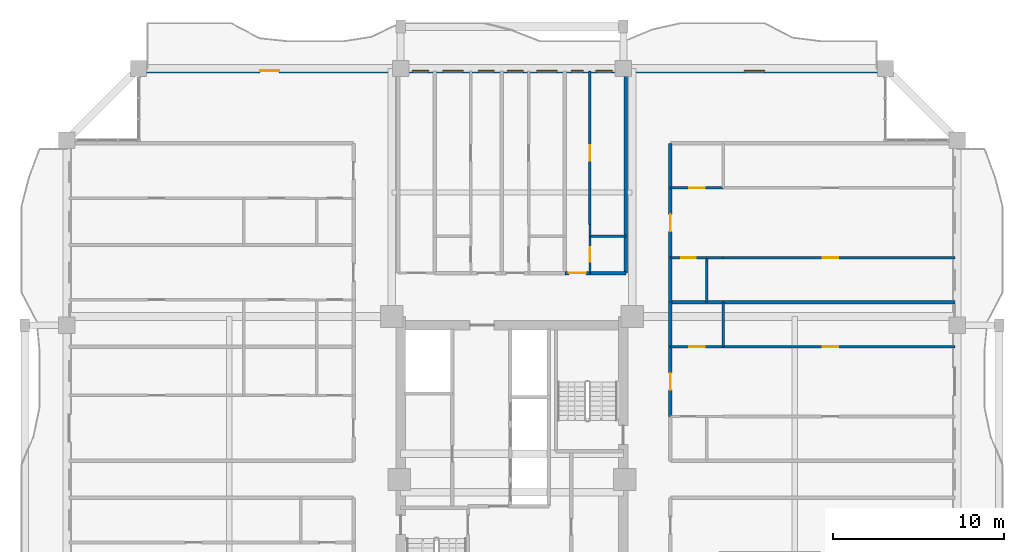
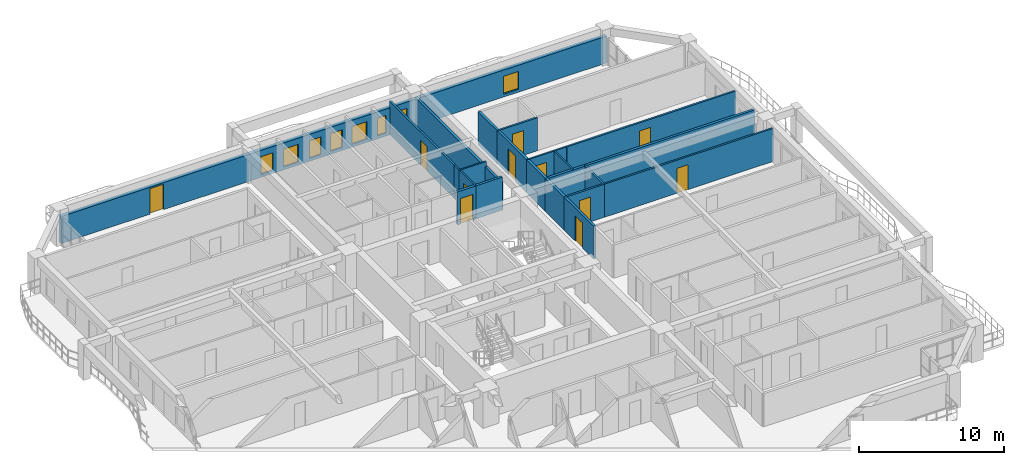
# One storey, part 20 of 26: 22 walls, 11 doors, 8 windows, 19 openings.
"""IFC4 building model written with IfcOpenShell, lengths in metres."""

from ifc_helpers import new_model, si_unit, direction, frame, frame_2d, origin, place, context, subcontext, project, spatial, rectangle, extrude, source, transform, mapped, material, layer, layer_set, type_object, element, fill, save


model = new_model("IFC4")

# Units and contexts
model_context = context("Model", 3, precision=1e-05, world=origin(), true_north=direction((0.0, 1.0)))
body_context = subcontext(model_context, "Body", "Model", "MODEL_VIEW")
ifc_project = project(units=[si_unit("LENGTHUNIT", "METRE"), si_unit("AREAUNIT", "SQUARE_METRE"), si_unit("VOLUMEUNIT", "CUBIC_METRE"), si_unit("PLANEANGLEUNIT", "RADIAN"), si_unit("MASSUNIT", "GRAM", prefix="KILO")], contexts=[model_context])

# Site, building, storey
site_placement = place(None, origin())
site = spatial("IfcSite", under=ifc_project, at=site_placement, CompositionType="ELEMENT")
building_placement = place(site_placement, origin())
building = spatial("IfcBuilding", under=site, at=building_placement, Name="Saelheon Loggia Tower", CompositionType="ELEMENT")
storey_placement = place(building_placement, frame((0.0, 0.0, 116.85009765625)))
storey = spatial("IfcBuildingStorey", under=building, at=storey_placement, Name="L37", CompositionType="ELEMENT", Elevation=116.85009765625)

# Wall, openings, windows, door
ifc_material_1 = material(Name="Architectural Precast Concrete C40/50", Category="concrete")
ifc_layer_1 = layer(ifc_material_1, 0.280029296875)
ifc_layer_set_1 = layer_set([ifc_layer_1], Name="Architectural Precast Concrete C40/50")
wall_type_1 = type_object("IfcWallType", Name="Wall_Ext_Loggia_280", PredefinedType="SOLIDWALL", material=ifc_layer_set_1)
wall_1_placement = place(storey_placement, frame((16.199951171875, 50.860107421875, 0.0), z_axis=(0.0, 0.0, 1.0), x_axis=(1.0, 0.0, 0.0)))
wall_1 = element("IfcWall", 1, at=wall_1_placement, inside=storey, type_object=wall_type_1, Name="L37 North Loggia Inner Wall", PredefinedType="SOLIDWALL", context=body_context, shape_type="SweptSolid", body=[
    extrude(rectangle(XDim=43.60009765625, YDim=0.280029296875, at=frame_2d((21.800048828125, 0.0))), origin(), (0.0, 0.0, 1.0), 2.27978515625),
])
opening_1_placement = place(wall_1_placement, frame((7.10009765625, 0.0, 0.0)))
opening_1 = element("IfcOpeningElement", 2, at=opening_1_placement, cuts=wall_1, Name="Opening TD1", PredefinedType="OPENING", context=body_context, shape_type="SweptSolid", body=[
    extrude(rectangle(XDim=1.10009765625, YDim=2.14990234375, at=frame_2d((0.550048828125, 1.074951171875))), frame((0.0, 0.152099609375, 0.0), z_axis=(0.0, -1.0, 0.0), x_axis=(1.0, 0.0, 0.0)), (0.0, 0.0, 1.0), 0.303955078125),
])
opening_2_placement = place(wall_1_placement, frame((15.982421875, 0.0, 0.25)))
opening_2 = element("IfcOpeningElement", 3, at=opening_2_placement, cuts=wall_1, Name="Opening WN-04", PredefinedType="OPENING", context=body_context, shape_type="SweptSolid", body=[
    extrude(rectangle(XDim=0.949951171875, YDim=1.5, at=frame_2d((0.47509765625, 0.75))), frame((0.0, 0.152099609375, 0.0), z_axis=(0.0, -1.0, 0.0), x_axis=(1.0, 0.0, 0.0)), (0.0, 0.0, 1.0), 0.303955078125),
])
opening_3_placement = place(wall_1_placement, frame((17.75, 0.0, 0.25)))
opening_3 = element("IfcOpeningElement", 4, at=opening_3_placement, cuts=wall_1, Name="Opening WN-03", PredefinedType="OPENING", context=body_context, shape_type="SweptSolid", body=[
    extrude(rectangle(XDim=1.199951171875, YDim=1.5, at=frame_2d((0.60009765625, 0.75))), frame((0.0, 0.152099609375, 0.0), z_axis=(0.0, -1.0, 0.0), x_axis=(1.0, 0.0, 0.0)), (0.0, 0.0, 1.0), 0.303955078125),
])
opening_4_placement = place(wall_1_placement, frame((19.826416015625, 0.0, 0.25)))
opening_4 = element("IfcOpeningElement", 5, at=opening_4_placement, cuts=wall_1, Name="Opening WN-04", PredefinedType="OPENING", context=body_context, shape_type="SweptSolid", body=[
    extrude(rectangle(XDim=0.949951171875, YDim=1.5, at=frame_2d((0.47509765625, 0.75))), frame((0.0, 0.152099609375, 0.0), z_axis=(0.0, -1.0, 0.0), x_axis=(1.0, 0.0, 0.0)), (0.0, 0.0, 1.0), 0.303955078125),
])
opening_5_placement = place(wall_1_placement, frame((21.517333984375, 0.0, 0.25)))
opening_5 = element("IfcOpeningElement", 6, at=opening_5_placement, cuts=wall_1, Name="Opening WN-04", PredefinedType="OPENING", context=body_context, shape_type="SweptSolid", body=[
    extrude(rectangle(XDim=0.949951171875, YDim=1.5, at=frame_2d((0.47509765625, 0.75))), frame((0.0, 0.152099609375, 0.0), z_axis=(0.0, -1.0, 0.0), x_axis=(1.0, 0.0, 0.0)), (0.0, 0.0, 1.0), 0.303955078125),
])
opening_6_placement = place(wall_1_placement, frame((23.23193359375, 0.0, 0.25)))
opening_6 = element("IfcOpeningElement", 7, at=opening_6_placement, cuts=wall_1, Name="Opening WN-03", PredefinedType="OPENING", context=body_context, shape_type="SweptSolid", body=[
    extrude(rectangle(XDim=1.199951171875, YDim=1.5, at=frame_2d((0.60009765625, 0.75))), frame((0.0, 0.152099609375, 0.0), z_axis=(0.0, -1.0, 0.0), x_axis=(1.0, 0.0, 0.0)), (0.0, 0.0, 1.0), 0.303955078125),
])
opening_7_placement = place(wall_1_placement, frame((25.26611328125, 0.0, 0.25)))
opening_7 = element("IfcOpeningElement", 8, at=opening_7_placement, cuts=wall_1, Name="Opening WN-06", PredefinedType="OPENING", context=body_context, shape_type="SweptSolid", body=[
    extrude(rectangle(XDim=0.699951171875, YDim=1.5, at=frame_2d((0.35009765625, 0.75))), frame((0.0, 0.152099609375, 0.0), z_axis=(0.0, -1.0, 0.0), x_axis=(1.0, 0.0, 0.0)), (0.0, 0.0, 1.0), 0.303955078125),
])
opening_8_placement = place(wall_1_placement, frame((26.6923828125, 0.0, 0.25)))
opening_8 = element("IfcOpeningElement", 9, at=opening_8_placement, cuts=wall_1, Name="Opening WN-04", PredefinedType="OPENING", context=body_context, shape_type="SweptSolid", body=[
    extrude(rectangle(XDim=0.949951171875, YDim=1.5, at=frame_2d((0.47509765625, 0.75))), frame((0.0, 0.152099609375, 0.0), z_axis=(0.0, -1.0, 0.0), x_axis=(1.0, 0.0, 0.0)), (0.0, 0.0, 1.0), 0.303955078125),
])
opening_9_placement = place(wall_1_placement, frame((35.35009765625, 0.0, 0.25)))
opening_9 = element("IfcOpeningElement", 10, at=opening_9_placement, cuts=wall_1, Name="Opening WN-03", PredefinedType="OPENING", context=body_context, shape_type="SweptSolid", body=[
    extrude(rectangle(XDim=1.199951171875, YDim=1.5, at=frame_2d((0.60009765625, 0.75))), frame((0.0, 0.152099609375, 0.0), z_axis=(0.0, -1.0, 0.0), x_axis=(1.0, 0.0, 0.0)), (0.0, 0.0, 1.0), 0.303955078125),
])
ifc_material_2 = material(Name="Thermal-Break Aluminium and Triple Low-E Glass", Category="aluminium")
window_type_1 = type_object("IfcWindowType", Name="Win_Slot_700x1500", PartitioningType="SINGLE_PANEL", PredefinedType="WINDOW", material=ifc_material_2)
shared_shape_1 = source(origin(), body_context, "Body", "SweptSolid", [
    extrude(rectangle(XDim=0.699951171875, YDim=1.5, at=frame_2d((0.35009765625, 0.75))), frame((0.0, 0.030029296875, 0.0), z_axis=(0.0, -1.0, 0.0), x_axis=(1.0, 0.0, 0.0)), (0.0, 0.0, 1.0), 0.06005859375),
])
window_1_placement = place(opening_7_placement, origin())
window_1 = element("IfcWindow", 11, at=window_1_placement, inside=storey, type_object=window_type_1, Name="L37 N Dwelling Window 7", OverallHeight=1.5, OverallWidth=0.699951171875, PartitioningType="SINGLE_PANEL", PredefinedType="WINDOW", context=body_context, shape_type="MappedRepresentation", body=[
    mapped(shared_shape_1, transform((0.0, 0.0, 0.0), scale=1.0)),
])
fill(opening_7, window_1)
window_type_2 = type_object("IfcWindowType", Name="Win_Bedroom_1200x1500", PartitioningType="SINGLE_PANEL", PredefinedType="WINDOW", material=ifc_material_2)
shared_shape_2 = source(origin(), body_context, "Body", "SweptSolid", [
    extrude(rectangle(XDim=1.199951171875, YDim=1.5, at=frame_2d((0.60009765625, 0.75))), frame((0.0, 0.030029296875, 0.0), z_axis=(0.0, -1.0, 0.0), x_axis=(1.0, 0.0, 0.0)), (0.0, 0.0, 1.0), 0.06005859375),
])
window_2_placement = place(opening_3_placement, origin())
window_2 = element("IfcWindow", 12, at=window_2_placement, inside=storey, type_object=window_type_2, Name="L37 N Dwelling Window 3", OverallHeight=1.5, OverallWidth=1.199951171875, PartitioningType="SINGLE_PANEL", PredefinedType="WINDOW", context=body_context, shape_type="MappedRepresentation", body=[
    mapped(shared_shape_2, transform((0.0, 0.0, 0.0), scale=1.0)),
])
fill(opening_3, window_2)
window_3_placement = place(opening_6_placement, origin())
window_3 = element("IfcWindow", 13, at=window_3_placement, inside=storey, type_object=window_type_2, Name="L37 N Dwelling Window 6", OverallHeight=1.5, OverallWidth=1.199951171875, PartitioningType="SINGLE_PANEL", PredefinedType="WINDOW", context=body_context, shape_type="MappedRepresentation", body=[
    mapped(shared_shape_2, transform((0.0, 0.0, 0.0), scale=1.0)),
])
fill(opening_6, window_3)
window_4_placement = place(opening_9_placement, origin())
window_4 = element("IfcWindow", 14, at=window_4_placement, inside=storey, type_object=window_type_2, Name="L37 N Dwelling Window 9", OverallHeight=1.5, OverallWidth=1.199951171875, PartitioningType="SINGLE_PANEL", PredefinedType="WINDOW", context=body_context, shape_type="MappedRepresentation", body=[
    mapped(shared_shape_2, transform((0.0, 0.0, 0.0), scale=1.0)),
])
fill(opening_9, window_4)
ifc_material_3 = material(Name="Thermal-Break Aluminium Glazed Door", Category="aluminium")
door_type_1 = type_object("IfcDoorType", Name="Door_Terrace_TD1", OperationType="NOTDEFINED", PredefinedType="DOOR", material=ifc_material_3)
shared_shape_3 = source(origin(), body_context, "Body", "SweptSolid", [
    extrude(rectangle(XDim=1.10009765625, YDim=2.14990234375, at=frame_2d((0.550048828125, 1.074951171875))), frame((0.0, 0.02490234375, 0.0), z_axis=(0.0, -1.0, 0.0), x_axis=(1.0, 0.0, 0.0)), (0.0, 0.0, 1.0), 0.050048828125),
])
door_1_placement = place(opening_1_placement, origin())
door_1 = element("IfcDoor", 15, at=door_1_placement, inside=storey, type_object=door_type_1, Name="L37 N Loggia Access Door", OperationType="SINGLE_SWING_LEFT", OverallHeight=2.14990234375, OverallWidth=1.10009765625, PredefinedType="DOOR", context=body_context, shape_type="MappedRepresentation", body=[
    mapped(shared_shape_3, transform((0.0, 0.0, 0.0), scale=1.0)),
])
fill(opening_1, door_1)
window_type_3 = type_object("IfcWindowType", Name="Win_Narrow_950x1500", PartitioningType="SINGLE_PANEL", PredefinedType="WINDOW", material=ifc_material_2)
shared_shape_4 = source(origin(), body_context, "Body", "SweptSolid", [
    extrude(rectangle(XDim=0.949951171875, YDim=1.5, at=frame_2d((0.47509765625, 0.75))), frame((0.0, 0.030029296875, 0.0), z_axis=(0.0, -1.0, 0.0), x_axis=(1.0, 0.0, 0.0)), (0.0, 0.0, 1.0), 0.06005859375),
])
window_5_placement = place(opening_2_placement, origin())
window_5 = element("IfcWindow", 16, at=window_5_placement, inside=storey, type_object=window_type_3, Name="L37 N Dwelling Window 2", OverallHeight=1.5, OverallWidth=0.949951171875, PartitioningType="SINGLE_PANEL", PredefinedType="WINDOW", context=body_context, shape_type="MappedRepresentation", body=[
    mapped(shared_shape_4, transform((0.0, 0.0, 0.0), scale=1.0)),
])
fill(opening_2, window_5)
window_6_placement = place(opening_4_placement, origin())
window_6 = element("IfcWindow", 17, at=window_6_placement, inside=storey, type_object=window_type_3, Name="L37 N Dwelling Window 4", OverallHeight=1.5, OverallWidth=0.949951171875, PartitioningType="SINGLE_PANEL", PredefinedType="WINDOW", context=body_context, shape_type="MappedRepresentation", body=[
    mapped(shared_shape_4, transform((0.0, 0.0, 0.0), scale=1.0)),
])
fill(opening_4, window_6)
window_7_placement = place(opening_5_placement, origin())
window_7 = element("IfcWindow", 18, at=window_7_placement, inside=storey, type_object=window_type_3, Name="L37 N Dwelling Window 5", OverallHeight=1.5, OverallWidth=0.949951171875, PartitioningType="SINGLE_PANEL", PredefinedType="WINDOW", context=body_context, shape_type="MappedRepresentation", body=[
    mapped(shared_shape_4, transform((0.0, 0.0, 0.0), scale=1.0)),
])
fill(opening_5, window_7)
window_8_placement = place(opening_8_placement, origin())
window_8 = element("IfcWindow", 19, at=window_8_placement, inside=storey, type_object=window_type_3, Name="L37 N Dwelling Window 8", OverallHeight=1.5, OverallWidth=0.949951171875, PartitioningType="SINGLE_PANEL", PredefinedType="WINDOW", context=body_context, shape_type="MappedRepresentation", body=[
    mapped(shared_shape_4, transform((0.0, 0.0, 0.0), scale=1.0)),
])
fill(opening_8, window_8)

# Wall, opening, door
ifc_material_4 = material(Name="Lightweight Autoclaved Aerated Concrete Block and Acoustic Gypsum", Category="concrete")
ifc_layer_2 = layer(ifc_material_4, 0.14990234375)
ifc_layer_set_2 = layer_set([ifc_layer_2], Name="Lightweight Autoclaved Aerated Concrete Block and Acoustic Gypsum")
wall_type_2 = type_object("IfcWallType", Name="Wall_Part_150", PredefinedType="PARTITIONING", material=ifc_layer_set_2)
wall_2_placement = place(storey_placement, frame((42.550048828125, 41.889892578125, 0.0), z_axis=(0.0, 0.0, 1.0), x_axis=(0.0, 1.0, 0.0)))
wall_2 = element("IfcWall", 20, at=wall_2_placement, inside=storey, type_object=wall_type_2, Name="L37 N Partition U24", PredefinedType="PARTITIONING", context=body_context, shape_type="SweptSolid", body=[
    extrude(rectangle(XDim=8.960205078125, YDim=0.14990234375, at=frame_2d((4.47998046875, 0.0))), origin(), (0.0, 0.0, 1.0), 2.789794921875),
])
opening_10_placement = place(wall_2_placement, frame((3.714111328125, 0.0, 0.0)))
opening_10 = element("IfcOpeningElement", 21, at=opening_10_placement, cuts=wall_2, Name="Opening D-IN2", PredefinedType="OPENING", context=body_context, shape_type="SweptSolid", body=[
    extrude(rectangle(XDim=0.89990234375, YDim=2.10009765625, at=frame_2d((0.449951171875, 1.050048828125))), frame((0.0, 0.0869140625, 0.0), z_axis=(0.0, -1.0, 0.0), x_axis=(1.0, 0.0, 0.0)), (0.0, 0.0, 1.0), 0.173828125),
])
ifc_material_5 = material(Name="Engineered Oak Flush Door", Category="timber")
door_type_2 = type_object("IfcDoorType", Name="Door_Int_900", OperationType="NOTDEFINED", PredefinedType="DOOR", material=ifc_material_5)
shared_shape_5 = source(origin(), body_context, "Body", "SweptSolid", [
    extrude(rectangle(XDim=0.89990234375, YDim=2.10009765625, at=frame_2d((0.449951171875, 1.050048828125))), frame((0.0, 0.02490234375, 0.0), z_axis=(0.0, -1.0, 0.0), x_axis=(1.0, 0.0, 0.0)), (0.0, 0.0, 1.0), 0.050048828125),
])
door_2_placement = place(opening_10_placement, origin())
door_2 = element("IfcDoor", 22, at=door_2_placement, inside=storey, type_object=door_type_2, Name="Unit U04 Kitchen Door", OperationType="SINGLE_SWING_RIGHT", OverallHeight=2.10009765625, OverallWidth=0.89990234375, PredefinedType="DOOR", context=body_context, shape_type="MappedRepresentation", body=[
    mapped(shared_shape_5, transform((0.0, 0.0, 0.0), scale=1.0)),
])
fill(opening_10, door_2)

# Wall
wall_3_placement = place(storey_placement, frame((50.330078125, 34.75, 0.0), z_axis=(0.0, 0.0, 1.0), x_axis=(0.0, 1.0, 0.0)))
element("IfcWall", 23, at=wall_3_placement, inside=storey, type_object=wall_type_2, Name="L37 EN Partition V07", PredefinedType="PARTITIONING", context=body_context, shape_type="SweptSolid", body=[
    extrude(rectangle(XDim=2.60009765625, YDim=0.14990234375, at=frame_2d((1.300048828125, 0.0))), origin(), (0.0, 0.0, 1.0), 2.789794921875),
])

# Wall, opening, door
wall_4_placement = place(storey_placement, frame((47.25, 34.75, 0.0), z_axis=(0.0, 0.0, 1.0), x_axis=(1.0, 0.0, 0.0)))
wall_4 = element("IfcWall", 24, at=wall_4_placement, inside=storey, type_object=wall_type_2, Name="L37 EN Partition U11", PredefinedType="PARTITIONING", context=body_context, shape_type="SweptSolid", body=[
    extrude(rectangle(XDim=3.080078125, YDim=0.14990234375, at=frame_2d((1.5400390625, 0.0))), origin(), (0.0, 0.0, 1.0), 2.789794921875),
])
opening_11_placement = place(wall_4_placement, frame((1.090087890625, 0.0, 0.0)))
opening_11 = element("IfcOpeningElement", 25, at=opening_11_placement, cuts=wall_4, Name="Opening D-IN2", PredefinedType="OPENING", context=body_context, shape_type="SweptSolid", body=[
    extrude(rectangle(XDim=0.89990234375, YDim=2.10009765625, at=frame_2d((0.449951171875, 1.050048828125))), frame((0.0, 0.0869140625, 0.0), z_axis=(0.0, -1.0, 0.0), x_axis=(1.0, 0.0, 0.0)), (0.0, 0.0, 1.0), 0.173828125),
])
door_3_placement = place(opening_11_placement, origin())
door_3 = element("IfcDoor", 26, at=door_3_placement, inside=storey, type_object=door_type_2, Name="Unit U13 Dressing Closet Door", OperationType="SINGLE_SWING_LEFT", OverallHeight=2.10009765625, OverallWidth=0.89990234375, PredefinedType="DOOR", context=body_context, shape_type="MappedRepresentation", body=[
    mapped(shared_shape_5, transform((0.0, 0.0, 0.0), scale=1.0)),
])
fill(opening_11, door_3)

wall_5_placement = place(storey_placement, frame((50.330078125, 34.75, 0.0), z_axis=(0.0, 0.0, 1.0), x_axis=(1.0, 0.0, 0.0)))
wall_5 = element("IfcWall", 27, at=wall_5_placement, inside=storey, type_object=wall_type_2, Name="L37 EN Partition U12", PredefinedType="PARTITIONING", context=body_context, shape_type="SweptSolid", body=[
    extrude(rectangle(XDim=13.52001953125, YDim=0.14990234375, at=frame_2d((6.760009765625, 0.0))), origin(), (0.0, 0.0, 1.0), 2.789794921875),
])
opening_12_placement = place(wall_5_placement, frame((5.80419921875, 0.0, 0.0)))
opening_12 = element("IfcOpeningElement", 28, at=opening_12_placement, cuts=wall_5, Name="Opening D-IN2", PredefinedType="OPENING", context=body_context, shape_type="SweptSolid", body=[
    extrude(rectangle(XDim=0.89990234375, YDim=2.10009765625, at=frame_2d((0.449951171875, 1.050048828125))), frame((0.0, 0.0869140625, 0.0), z_axis=(0.0, -1.0, 0.0), x_axis=(1.0, 0.0, 0.0)), (0.0, 0.0, 1.0), 0.173828125),
])
door_4_placement = place(opening_12_placement, origin())
door_4 = element("IfcDoor", 29, at=door_4_placement, inside=storey, type_object=door_type_2, Name="Unit U13 Bedroom 1 Door", OperationType="SINGLE_SWING_RIGHT", OverallHeight=2.10009765625, OverallWidth=0.89990234375, PredefinedType="DOOR", context=body_context, shape_type="MappedRepresentation", body=[
    mapped(shared_shape_5, transform((0.0, 0.0, 0.0), scale=1.0)),
])
fill(opening_12, door_4)

wall_6_placement = place(storey_placement, frame((50.330078125, 39.945556640625, 0.0), z_axis=(0.0, 0.0, 1.0), x_axis=(1.0, 0.0, 0.0)))
wall_6 = element("IfcWall", 30, at=wall_6_placement, inside=storey, type_object=wall_type_2, Name="L37 EN Partition U21", PredefinedType="PARTITIONING", context=body_context, shape_type="SweptSolid", body=[
    extrude(rectangle(XDim=13.52001953125, YDim=0.14990234375, at=frame_2d((6.760009765625, 0.0))), origin(), (0.0, 0.0, 1.0), 2.789794921875),
])
opening_13_placement = place(wall_6_placement, frame((5.80419921875, 0.0, 0.0)))
opening_13 = element("IfcOpeningElement", 31, at=opening_13_placement, cuts=wall_6, Name="Opening D-IN2", PredefinedType="OPENING", context=body_context, shape_type="SweptSolid", body=[
    extrude(rectangle(XDim=0.89990234375, YDim=2.10009765625, at=frame_2d((0.449951171875, 1.050048828125))), frame((0.0, 0.0869140625, 0.0), z_axis=(0.0, -1.0, 0.0), x_axis=(1.0, 0.0, 0.0)), (0.0, 0.0, 1.0), 0.173828125),
])
door_5_placement = place(opening_13_placement, origin())
door_5 = element("IfcDoor", 32, at=door_5_placement, inside=storey, type_object=door_type_2, Name="Unit U14 Kitchen Door", OperationType="SINGLE_SWING_LEFT", OverallHeight=2.10009765625, OverallWidth=0.89990234375, PredefinedType="DOOR", context=body_context, shape_type="MappedRepresentation", body=[
    mapped(shared_shape_5, transform((0.0, 0.0, 0.0), scale=1.0)),
])
fill(opening_13, door_5)

wall_7_placement = place(storey_placement, frame((47.25, 44.02001953125, 0.0), z_axis=(0.0, 0.0, 1.0), x_axis=(1.0, 0.0, 0.0)))
wall_7 = element("IfcWall", 33, at=wall_7_placement, inside=storey, type_object=wall_type_2, Name="L37 EN Partition U22", PredefinedType="PARTITIONING", context=body_context, shape_type="SweptSolid", body=[
    extrude(rectangle(XDim=3.080078125, YDim=0.14990234375, at=frame_2d((1.5400390625, 0.0))), origin(), (0.0, 0.0, 1.0), 2.789794921875),
])
opening_14_placement = place(wall_7_placement, frame((1.090087890625, 0.0, 0.0)))
opening_14 = element("IfcOpeningElement", 34, at=opening_14_placement, cuts=wall_7, Name="Opening D-IN2", PredefinedType="OPENING", context=body_context, shape_type="SweptSolid", body=[
    extrude(rectangle(XDim=0.89990234375, YDim=2.10009765625, at=frame_2d((0.449951171875, 1.050048828125))), frame((0.0, 0.0869140625, 0.0), z_axis=(0.0, -1.0, 0.0), x_axis=(1.0, 0.0, 0.0)), (0.0, 0.0, 1.0), 0.173828125),
])
door_6_placement = place(opening_14_placement, origin())
door_6 = element("IfcDoor", 35, at=door_6_placement, inside=storey, type_object=door_type_2, Name="Unit U14 Dressing Closet Door", OperationType="SINGLE_SWING_RIGHT", OverallHeight=2.10009765625, OverallWidth=0.89990234375, PredefinedType="DOOR", context=body_context, shape_type="MappedRepresentation", body=[
    mapped(shared_shape_5, transform((0.0, 0.0, 0.0), scale=1.0)),
])
fill(opening_14, door_6)

# Wall
ifc_material_6 = material(Name="Double Acoustic Stud and Fireboard Partition", Category="gypsum")
ifc_layer_3 = layer(ifc_material_6, 0.199951171875)
ifc_layer_set_3 = layer_set([ifc_layer_3], Name="Double Acoustic Stud and Fireboard Partition")
wall_type_3 = type_object("IfcWallType", Name="Wall_Party_200", PredefinedType="PARTITIONING", material=ifc_layer_set_3)
wall_8_placement = place(storey_placement, frame((44.64990234375, 39.050048828125, 0.0), z_axis=(0.0, 0.0, 1.0), x_axis=(0.0, 1.0, 0.0)))
element("IfcWall", 36, at=wall_8_placement, inside=storey, type_object=wall_type_3, Name="L37 N Partition U02", PredefinedType="PARTITIONING", context=body_context, shape_type="SweptSolid", body=[
    extrude(rectangle(XDim=11.800048828125, YDim=0.199951171875, at=frame_2d((5.89990234375, 0.0))), origin(), (0.0, 0.0, 1.0), 2.33984375),
])

# Wall, opening, door
wall_9_placement = place(storey_placement, frame((41.08203125, 39.050048828125, 0.0), z_axis=(0.0, 0.0, 1.0), x_axis=(1.0, 0.0, 0.0)))
wall_9 = element("IfcWall", 37, at=wall_9_placement, inside=storey, type_object=wall_type_3, Name="L37 N Partition V19", PredefinedType="PARTITIONING", context=body_context, shape_type="SweptSolid", body=[
    extrude(rectangle(XDim=1.468017578125, YDim=0.199951171875, at=frame_2d((0.73388671875, 0.0))), origin(), (0.0, 0.0, 1.0), 2.789794921875),
])
opening_15_placement = place(wall_9_placement, frame((0.23388671875, 0.0, 0.0)))
opening_15 = element("IfcOpeningElement", 38, at=opening_15_placement, cuts=wall_9, Name="Opening D-FD1", PredefinedType="OPENING", context=body_context, shape_type="SweptSolid", body=[
    extrude(rectangle(XDim=1.0, YDim=2.14990234375, at=frame_2d((0.5, 1.074951171875))), frame((0.0, 0.112060546875, 0.0), z_axis=(0.0, -1.0, 0.0), x_axis=(1.0, 0.0, 0.0)), (0.0, 0.0, 1.0), 0.223876953125),
])
ifc_material_7 = material(Name="Fire-Rated Engineered Timber Entrance Door", Category="wood")
door_type_3 = type_object("IfcDoorType", Name="Door_Flat_FD30S", OperationType="NOTDEFINED", PredefinedType="DOOR", material=ifc_material_7)
shared_shape_6 = source(origin(), body_context, "Body", "SweptSolid", [
    extrude(rectangle(XDim=1.0, YDim=2.14990234375, at=frame_2d((0.5, 1.074951171875))), frame((0.0, 0.02490234375, 0.0), z_axis=(0.0, -1.0, 0.0), x_axis=(1.0, 0.0, 0.0)), (0.0, 0.0, 1.0), 0.050048828125),
])
door_7_placement = place(opening_15_placement, origin())
door_7 = element("IfcDoor", 39, at=door_7_placement, inside=storey, type_object=door_type_3, Name="Unit U04 Entrance Door", OperationType="SINGLE_SWING_RIGHT", OverallHeight=2.14990234375, OverallWidth=1.0, PredefinedType="DOOR", context=body_context, shape_type="MappedRepresentation", body=[
    mapped(shared_shape_6, transform((0.0, 0.0, 0.0), scale=1.0)),
])
fill(opening_15, door_7)

# Wall
wall_10_placement = place(storey_placement, frame((42.550048828125, 39.050048828125, 0.0), z_axis=(0.0, 0.0, 1.0), x_axis=(1.0, 0.0, 0.0)))
element("IfcWall", 40, at=wall_10_placement, inside=storey, type_object=wall_type_3, Name="L37 N Partition V20", PredefinedType="PARTITIONING", context=body_context, shape_type="SweptSolid", body=[
    extrude(rectangle(XDim=2.099853515625, YDim=0.199951171875, at=frame_2d((1.0498046875, 0.0))), origin(), (0.0, 0.0, 1.0), 2.789794921875),
])

# Wall, opening, door
wall_11_placement = place(storey_placement, frame((47.25, 30.675537109375, 0.0), z_axis=(0.0, 0.0, 1.0), x_axis=(0.0, 1.0, 0.0)))
wall_11 = element("IfcWall", 41, at=wall_11_placement, inside=storey, type_object=wall_type_3, Name="L37 EN Partition V04", PredefinedType="PARTITIONING", context=body_context, shape_type="SweptSolid", body=[
    extrude(rectangle(XDim=4.074462890625, YDim=0.199951171875, at=frame_2d((2.037109375, 0.0))), origin(), (0.0, 0.0, 1.0), 2.789794921875),
])
opening_16_placement = place(wall_11_placement, frame((1.537109375, 0.0, 0.0)))
opening_16 = element("IfcOpeningElement", 42, at=opening_16_placement, cuts=wall_11, Name="Opening D-FD1", PredefinedType="OPENING", context=body_context, shape_type="SweptSolid", body=[
    extrude(rectangle(XDim=1.0, YDim=2.14990234375, at=frame_2d((0.5, 1.074951171875))), frame((0.0, 0.112060546875, 0.0), z_axis=(0.0, -1.0, 0.0), x_axis=(1.0, 0.0, 0.0)), (0.0, 0.0, 1.0), 0.223876953125),
])
door_8_placement = place(opening_16_placement, origin())
door_8 = element("IfcDoor", 43, at=door_8_placement, inside=storey, type_object=door_type_3, Name="Unit U13 Entrance Door", OperationType="SINGLE_SWING_RIGHT", OverallHeight=2.14990234375, OverallWidth=1.0, PredefinedType="DOOR", context=body_context, shape_type="MappedRepresentation", body=[
    mapped(shared_shape_6, transform((0.0, 0.0, 0.0), scale=1.0)),
])
fill(opening_16, door_8)

# Walls
wall_12_placement = place(storey_placement, frame((47.25, 34.75, 0.0), z_axis=(0.0, 0.0, 1.0), x_axis=(0.0, 1.0, 0.0)))
element("IfcWall", 44, at=wall_12_placement, inside=storey, type_object=wall_type_3, Name="L37 EN Partition V05", PredefinedType="PARTITIONING", context=body_context, shape_type="SweptSolid", body=[
    extrude(rectangle(XDim=2.60009765625, YDim=0.199951171875, at=frame_2d((1.300048828125, 0.0))), origin(), (0.0, 0.0, 1.0), 2.789794921875),
])
wall_13_placement = place(storey_placement, frame((47.25, 37.35009765625, 0.0), z_axis=(0.0, 0.0, 1.0), x_axis=(1.0, 0.0, 0.0)))
element("IfcWall", 45, at=wall_13_placement, inside=storey, type_object=wall_type_3, Name="L37 EN Partition U13", PredefinedType="PARTITIONING", context=body_context, shape_type="SweptSolid", body=[
    extrude(rectangle(XDim=16.60009765625, YDim=0.199951171875, at=frame_2d((8.300048828125, 0.0))), origin(), (0.0, 0.0, 1.0), 2.789794921875),
])
wall_14_placement = place(storey_placement, frame((47.25, 37.35009765625, 0.0), z_axis=(0.0, 0.0, 1.0), x_axis=(0.0, 1.0, 0.0)))
element("IfcWall", 46, at=wall_14_placement, inside=storey, type_object=wall_type_3, Name="L37 EN Partition V14", PredefinedType="PARTITIONING", context=body_context, shape_type="SweptSolid", body=[
    extrude(rectangle(XDim=2.595458984375, YDim=0.199951171875, at=frame_2d((1.2978515625, 0.0))), origin(), (0.0, 0.0, 1.0), 2.789794921875),
])

# Wall, opening, door
wall_15_placement = place(storey_placement, frame((47.25, 39.945556640625, 0.0), z_axis=(0.0, 0.0, 1.0), x_axis=(0.0, 1.0, 0.0)))
wall_15 = element("IfcWall", 47, at=wall_15_placement, inside=storey, type_object=wall_type_3, Name="L37 EN Partition V15", PredefinedType="PARTITIONING", context=body_context, shape_type="SweptSolid", body=[
    extrude(rectangle(XDim=4.074462890625, YDim=0.199951171875, at=frame_2d((2.037109375, 0.0))), origin(), (0.0, 0.0, 1.0), 2.789794921875),
])
opening_17_placement = place(wall_15_placement, frame((1.537109375, 0.0, 0.0)))
opening_17 = element("IfcOpeningElement", 48, at=opening_17_placement, cuts=wall_15, Name="Opening D-FD1", PredefinedType="OPENING", context=body_context, shape_type="SweptSolid", body=[
    extrude(rectangle(XDim=1.0, YDim=2.14990234375, at=frame_2d((0.5, 1.074951171875))), frame((0.0, 0.112060546875, 0.0), z_axis=(0.0, -1.0, 0.0), x_axis=(1.0, 0.0, 0.0)), (0.0, 0.0, 1.0), 0.223876953125),
])
door_9_placement = place(opening_17_placement, origin())
door_9 = element("IfcDoor", 49, at=door_9_placement, inside=storey, type_object=door_type_3, Name="Unit U14 Entrance Door", OperationType="SINGLE_SWING_LEFT", OverallHeight=2.14990234375, OverallWidth=1.0, PredefinedType="DOOR", context=body_context, shape_type="MappedRepresentation", body=[
    mapped(shared_shape_6, transform((0.0, 0.0, 0.0), scale=1.0)),
])
fill(opening_17, door_9)

# Wall
wall_16_placement = place(storey_placement, frame((47.25, 44.02001953125, 0.0), z_axis=(0.0, 0.0, 1.0), x_axis=(0.0, 1.0, 0.0)))
element("IfcWall", 50, at=wall_16_placement, inside=storey, type_object=wall_type_3, Name="L37 EN Partition V16", PredefinedType="PARTITIONING", context=body_context, shape_type="SweptSolid", body=[
    extrude(rectangle(XDim=2.60009765625, YDim=0.199951171875, at=frame_2d((1.300048828125, 0.0))), origin(), (0.0, 0.0, 1.0), 2.789794921875),
])

# Wall, opening, door
ifc_material_8 = material(Name="Moisture-Resistant Cement Board Partition", Category="gypsum")
ifc_layer_4 = layer(ifc_material_8, 0.1201171875)
ifc_layer_set_4 = layer_set([ifc_layer_4], Name="Moisture-Resistant Cement Board Partition")
wall_type_4 = type_object("IfcWallType", Name="Wall_WetPart_120", PredefinedType="PARTITIONING", material=ifc_layer_set_4)
wall_17_placement = place(storey_placement, frame((42.550048828125, 39.050048828125, 0.0), z_axis=(0.0, 0.0, 1.0), x_axis=(0.0, 1.0, 0.0)))
wall_17 = element("IfcWall", 51, at=wall_17_placement, inside=storey, type_object=wall_type_4, Name="L37 N Partition U21", PredefinedType="PARTITIONING", context=body_context, shape_type="SweptSolid", body=[
    extrude(rectangle(XDim=2.14990234375, YDim=0.1201171875, at=frame_2d((1.074951171875, 0.0))), origin(), (0.0, 0.0, 1.0), 2.789794921875),
])
opening_18_placement = place(wall_17_placement, frame((0.64990234375, 0.0, 0.0)))
opening_18 = element("IfcOpeningElement", 52, at=opening_18_placement, cuts=wall_17, Name="Opening D-BT1", PredefinedType="OPENING", context=body_context, shape_type="SweptSolid", body=[
    extrude(rectangle(XDim=0.85009765625, YDim=2.050048828125, at=frame_2d((0.425048828125, 1.02490234375))), frame((0.0, 0.072021484375, 0.0), z_axis=(0.0, -1.0, 0.0), x_axis=(1.0, 0.0, 0.0)), (0.0, 0.0, 1.0), 0.14404296875),
])
ifc_material_9 = material(Name="Moisture-Resistant Laminate Timber Door", Category="wood")
door_type_4 = type_object("IfcDoorType", Name="Door_Bath_850", OperationType="NOTDEFINED", PredefinedType="DOOR", material=ifc_material_9)
shared_shape_7 = source(origin(), body_context, "Body", "SweptSolid", [
    extrude(rectangle(XDim=0.85009765625, YDim=2.050048828125, at=frame_2d((0.425048828125, 1.02490234375))), frame((0.0, 0.02490234375, 0.0), z_axis=(0.0, -1.0, 0.0), x_axis=(1.0, 0.0, 0.0)), (0.0, 0.0, 1.0), 0.050048828125),
])
door_10_placement = place(opening_18_placement, origin())
door_10 = element("IfcDoor", 53, at=door_10_placement, inside=storey, type_object=door_type_4, Name="Unit U04 Bathroom Door", OperationType="SINGLE_SWING_LEFT", OverallHeight=2.050048828125, OverallWidth=0.85009765625, PredefinedType="DOOR", context=body_context, shape_type="MappedRepresentation", body=[
    mapped(shared_shape_7, transform((0.0, 0.0, 0.0), scale=1.0)),
])
fill(opening_18, door_10)

# Walls
wall_18_placement = place(storey_placement, frame((42.550048828125, 41.199951171875, 0.0), z_axis=(0.0, 0.0, 1.0), x_axis=(0.0, 1.0, 0.0)))
element("IfcWall", 54, at=wall_18_placement, inside=storey, type_object=wall_type_4, Name="L37 N Partition U22", PredefinedType="PARTITIONING", context=body_context, shape_type="SweptSolid", body=[
    extrude(rectangle(XDim=0.68994140625, YDim=0.1201171875, at=frame_2d((0.344970703125, 0.0))), origin(), (0.0, 0.0, 1.0), 2.789794921875),
])
wall_19_placement = place(storey_placement, frame((42.550048828125, 41.199951171875, 0.0), z_axis=(0.0, 0.0, 1.0), x_axis=(1.0, 0.0, 0.0)))
element("IfcWall", 55, at=wall_19_placement, inside=storey, type_object=wall_type_4, Name="L37 N Partition V23", PredefinedType="PARTITIONING", context=body_context, shape_type="SweptSolid", body=[
    extrude(rectangle(XDim=2.099853515625, YDim=0.1201171875, at=frame_2d((1.0498046875, 0.0))), origin(), (0.0, 0.0, 1.0), 2.789794921875),
])
wall_20_placement = place(storey_placement, frame((49.3701171875, 37.35009765625, 0.0), z_axis=(0.0, 0.0, 1.0), x_axis=(0.0, 1.0, 0.0)))
element("IfcWall", 56, at=wall_20_placement, inside=storey, type_object=wall_type_4, Name="L37 EN Partition V17", PredefinedType="PARTITIONING", context=body_context, shape_type="SweptSolid", body=[
    extrude(rectangle(XDim=2.595458984375, YDim=0.1201171875, at=frame_2d((1.2978515625, 0.0))), origin(), (0.0, 0.0, 1.0), 2.789794921875),
])

# Wall, opening, door
wall_21_placement = place(storey_placement, frame((47.25, 39.945556640625, 0.0), z_axis=(0.0, 0.0, 1.0), x_axis=(1.0, 0.0, 0.0)))
wall_21 = element("IfcWall", 57, at=wall_21_placement, inside=storey, type_object=wall_type_4, Name="L37 EN Partition U19", PredefinedType="PARTITIONING", context=body_context, shape_type="SweptSolid", body=[
    extrude(rectangle(XDim=2.1201171875, YDim=0.1201171875, at=frame_2d((1.06005859375, 0.0))), origin(), (0.0, 0.0, 1.0), 2.789794921875),
])
opening_19_placement = place(wall_21_placement, frame((0.635009765625, 0.0, 0.0)))
opening_19 = element("IfcOpeningElement", 58, at=opening_19_placement, cuts=wall_21, Name="Opening D-BT1", PredefinedType="OPENING", context=body_context, shape_type="SweptSolid", body=[
    extrude(rectangle(XDim=0.85009765625, YDim=2.050048828125, at=frame_2d((0.425048828125, 1.02490234375))), frame((0.0, 0.072021484375, 0.0), z_axis=(0.0, -1.0, 0.0), x_axis=(1.0, 0.0, 0.0)), (0.0, 0.0, 1.0), 0.14404296875),
])
door_11_placement = place(opening_19_placement, origin())
door_11 = element("IfcDoor", 59, at=door_11_placement, inside=storey, type_object=door_type_4, Name="Unit U14 Bathroom Door", OperationType="SINGLE_SWING_RIGHT", OverallHeight=2.050048828125, OverallWidth=0.85009765625, PredefinedType="DOOR", context=body_context, shape_type="MappedRepresentation", body=[
    mapped(shared_shape_7, transform((0.0, 0.0, 0.0), scale=1.0)),
])
fill(opening_19, door_11)

# Wall
wall_22_placement = place(storey_placement, frame((49.3701171875, 39.945556640625, 0.0), z_axis=(0.0, 0.0, 1.0), x_axis=(1.0, 0.0, 0.0)))
element("IfcWall", 60, at=wall_22_placement, inside=storey, type_object=wall_type_4, Name="L37 EN Partition U20", PredefinedType="PARTITIONING", context=body_context, shape_type="SweptSolid", body=[
    extrude(rectangle(XDim=0.9599609375, YDim=0.1201171875, at=frame_2d((0.47998046875, 0.0))), origin(), (0.0, 0.0, 1.0), 2.789794921875),
])

save(model, "model.ifc")
